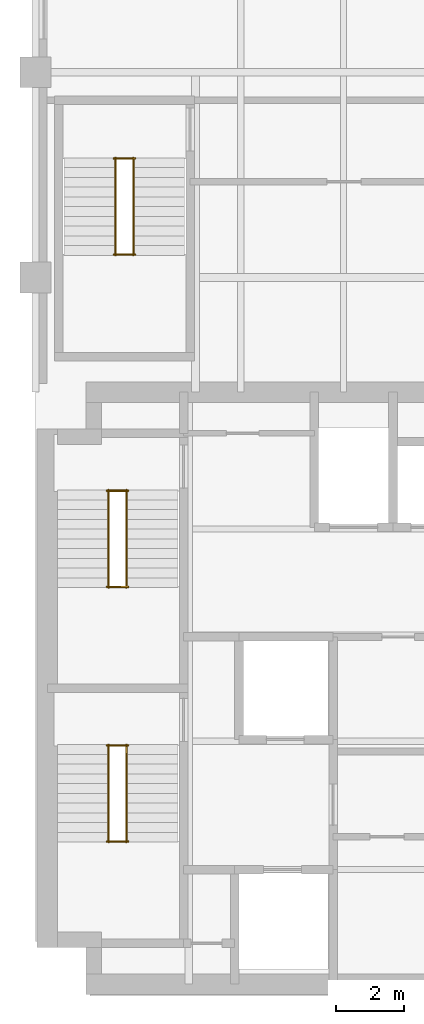
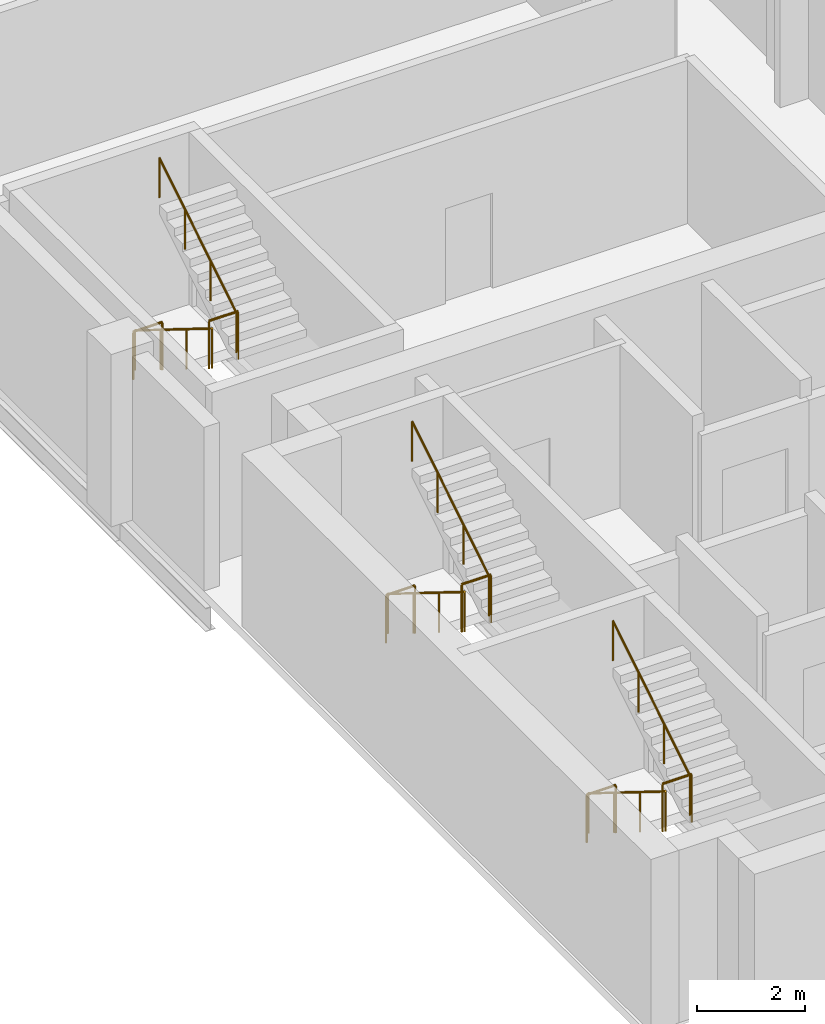
# One storey, part 7 of 7: 12 railings.
"""IFC4 building model written with IfcOpenShell, lengths in metres."""

from ifc_helpers import new_model, si_unit, direction, frame, origin, origin_2d, place, context, subcontext, project, spatial, circle, extrude, material, type_object, element, save


model = new_model("IFC4")

# Units and contexts
model_context = context("Model", 3, precision=1e-05, world=origin(), true_north=direction((0.0, 1.0)))
body_context = subcontext(model_context, "Body", "Model", "MODEL_VIEW")
ifc_project = project(units=[si_unit("LENGTHUNIT", "METRE"), si_unit("AREAUNIT", "SQUARE_METRE"), si_unit("VOLUMEUNIT", "CUBIC_METRE"), si_unit("PLANEANGLEUNIT", "RADIAN"), si_unit("MASSUNIT", "GRAM", prefix="KILO")], contexts=[model_context])

# Site, building, storey
site_placement = place(None, origin())
site = spatial("IfcSite", under=ifc_project, at=site_placement, CompositionType="ELEMENT")
building_placement = place(site_placement, origin())
building = spatial("IfcBuilding", under=site, at=building_placement, Name="Mawjdan Bourse Tower", CompositionType="ELEMENT")
storey_placement = place(building_placement, frame((0.0, 0.0, 203.39990234375)))
storey = spatial("IfcBuildingStorey", under=building, at=storey_placement, Name="L49", CompositionType="ELEMENT", Elevation=203.39990234375)

# Railings
ifc_material_1 = material(Name="Structural Steel S355", Category="steel")
railing_type_1 = type_object("IfcRailingType", Name="RLG-GRD-1100", PredefinedType="GUARDRAIL", material=ifc_material_1)
for number, where, name in (
    (1, (8.090087890625, 7.52001953125, 1.9501953125), "L49 ST1 Landing Guardrail GL-MID"),
    (2, (8.090087890625, 10.330078125, 0.0), "L49 ST1 Landing Guardrail GL-BOT"),
    (3, (8.090087890625, 14.9599609375, 1.9501953125), "L49 ST2 Landing Guardrail GL-MID"),
    (4, (8.090087890625, 17.77001953125, 0.0), "L49 ST2 Landing Guardrail GL-BOT"),
    (5, (8.2900390625, 24.669921875, 1.9501953125), "L49 ST3 Landing Guardrail GL-MID"),
    (6, (8.2900390625, 27.47998046875, 0.0), "L49 ST3 Landing Guardrail GL-BOT"),
):
    element("IfcRailing", number, at=place(storey_placement, frame(where)), inside=storey, type_object=railing_type_1, Name=name, PredefinedType="GUARDRAIL", context=body_context, shape_type="SweptSolid", body=[
        extrude(circle(Radius=0.02490234375, at=origin_2d()), frame((0.0, 0.0, 1.0751953125), z_axis=(1.0, 0.0, 0.0), x_axis=(0.0, 1.0, 0.0)), (0.0, 0.0, 1.0), 0.619873046875),
        extrude(circle(Radius=0.02099609375, at=origin_2d()), origin(), (0.0, 0.0, 1.0), 1.050048828125),
        extrude(circle(Radius=0.02099609375, at=origin_2d()), frame((0.619873046875, 0.0, 0.0)), (0.0, 0.0, 1.0), 1.050048828125),
    ])
ifc_material_2 = material(Name="Brushed Stainless Steel", Category="steel")
railing_type_2 = type_object("IfcRailingType", Name="RLG-HND-920", PredefinedType="HANDRAIL", material=ifc_material_2)
railing_1_placement = place(storey_placement, frame((8.139892578125, 10.35009765625, 0.177490234375)))
element("IfcRailing", 7, at=railing_1_placement, inside=storey, type_object=railing_type_2, Name="L49 ST1 Flight Handrail HR1", PredefinedType="HANDRAIL", context=body_context, shape_type="SweptSolid", body=[
    extrude(circle(Radius=0.0224609375, at=origin_2d()), frame((0.0, 0.0, 0.8974609375), z_axis=(0.0, -0.849148672731, 0.528153890072), x_axis=(1.0, 0.0, 0.0)), (0.0, 0.0, 1.0), 3.3564453125),
    extrude(circle(Radius=0.01904296875, at=origin_2d()), origin(), (0.0, 0.0, 1.0), 0.875),
    extrude(circle(Radius=0.01904296875, at=origin_2d()), frame((0.0, -0.949951171875, 0.5908203125)), (0.0, 0.0, 1.0), 0.875),
    extrude(circle(Radius=0.01904296875, at=origin_2d()), frame((0.0, -1.900146484375, 1.181884765625)), (0.0, 0.0, 1.0), 0.875),
    extrude(circle(Radius=0.01904296875, at=origin_2d()), frame((0.0, -2.85009765625, 1.772705078125)), (0.0, 0.0, 1.0), 0.875),
])
railing_2_placement = place(storey_placement, frame((8.659912109375, 7.5, 2.12744140625)))
element("IfcRailing", 8, at=railing_2_placement, inside=storey, type_object=railing_type_2, Name="L49 ST1 Flight Handrail HR2", PredefinedType="HANDRAIL", context=body_context, shape_type="SweptSolid", body=[
    extrude(circle(Radius=0.0224609375, at=origin_2d()), frame((0.0, 0.0, 0.8974609375), z_axis=(0.0, 0.849148672731, 0.528153890072), x_axis=(-1.0, 0.0, 0.0)), (0.0, 0.0, 1.0), 3.3564453125),
    extrude(circle(Radius=0.01904296875, at=origin_2d()), origin(), (0.0, 0.0, 1.0), 0.875),
    extrude(circle(Radius=0.01904296875, at=origin_2d()), frame((0.0, 0.949951171875, 0.5908203125)), (0.0, 0.0, 1.0), 0.875),
    extrude(circle(Radius=0.01904296875, at=origin_2d()), frame((0.0, 1.900146484375, 1.181884765625)), (0.0, 0.0, 1.0), 0.875),
    extrude(circle(Radius=0.01904296875, at=origin_2d()), frame((0.0, 2.85009765625, 1.772705078125)), (0.0, 0.0, 1.0), 0.875),
])
railing_3_placement = place(storey_placement, frame((8.139892578125, 17.7900390625, 0.177490234375)))
element("IfcRailing", 9, at=railing_3_placement, inside=storey, type_object=railing_type_2, Name="L49 ST2 Flight Handrail HR1", PredefinedType="HANDRAIL", context=body_context, shape_type="SweptSolid", body=[
    extrude(circle(Radius=0.0224609375, at=origin_2d()), frame((0.0, 0.0, 0.8974609375), z_axis=(0.0, -0.849148672731, 0.528153890072), x_axis=(1.0, 0.0, 0.0)), (0.0, 0.0, 1.0), 3.3564453125),
    extrude(circle(Radius=0.01904296875, at=origin_2d()), origin(), (0.0, 0.0, 1.0), 0.875),
    extrude(circle(Radius=0.01904296875, at=origin_2d()), frame((0.0, -0.949951171875, 0.5908203125)), (0.0, 0.0, 1.0), 0.875),
    extrude(circle(Radius=0.01904296875, at=origin_2d()), frame((0.0, -1.900146484375, 1.181884765625)), (0.0, 0.0, 1.0), 0.875),
    extrude(circle(Radius=0.01904296875, at=origin_2d()), frame((0.0, -2.85009765625, 1.772705078125)), (0.0, 0.0, 1.0), 0.875),
])
railing_4_placement = place(storey_placement, frame((8.659912109375, 14.93994140625, 2.12744140625)))
element("IfcRailing", 10, at=railing_4_placement, inside=storey, type_object=railing_type_2, Name="L49 ST2 Flight Handrail HR2", PredefinedType="HANDRAIL", context=body_context, shape_type="SweptSolid", body=[
    extrude(circle(Radius=0.0224609375, at=origin_2d()), frame((0.0, 0.0, 0.8974609375), z_axis=(0.0, 0.849148672731, 0.528153890072), x_axis=(-1.0, 0.0, 0.0)), (0.0, 0.0, 1.0), 3.3564453125),
    extrude(circle(Radius=0.01904296875, at=origin_2d()), origin(), (0.0, 0.0, 1.0), 0.875),
    extrude(circle(Radius=0.01904296875, at=origin_2d()), frame((0.0, 0.949951171875, 0.5908203125)), (0.0, 0.0, 1.0), 0.875),
    extrude(circle(Radius=0.01904296875, at=origin_2d()), frame((0.0, 1.900146484375, 1.181884765625)), (0.0, 0.0, 1.0), 0.875),
    extrude(circle(Radius=0.01904296875, at=origin_2d()), frame((0.0, 2.85009765625, 1.772705078125)), (0.0, 0.0, 1.0), 0.875),
])
railing_5_placement = place(storey_placement, frame((8.340087890625, 27.5, 0.177490234375)))
element("IfcRailing", 11, at=railing_5_placement, inside=storey, type_object=railing_type_2, Name="L49 ST3 Flight Handrail HR1", PredefinedType="HANDRAIL", context=body_context, shape_type="SweptSolid", body=[
    extrude(circle(Radius=0.0224609375, at=origin_2d()), frame((0.0, 0.0, 0.8974609375), z_axis=(0.0, -0.849148672731, 0.528153890072), x_axis=(1.0, 0.0, 0.0)), (0.0, 0.0, 1.0), 3.3564453125),
    extrude(circle(Radius=0.01904296875, at=origin_2d()), origin(), (0.0, 0.0, 1.0), 0.875),
    extrude(circle(Radius=0.01904296875, at=origin_2d()), frame((0.0, -0.949951171875, 0.5908203125)), (0.0, 0.0, 1.0), 0.875),
    extrude(circle(Radius=0.01904296875, at=origin_2d()), frame((0.0, -1.900146484375, 1.181884765625)), (0.0, 0.0, 1.0), 0.875),
    extrude(circle(Radius=0.01904296875, at=origin_2d()), frame((0.0, -2.85009765625, 1.772705078125)), (0.0, 0.0, 1.0), 0.875),
])
railing_6_placement = place(storey_placement, frame((8.860107421875, 24.64990234375, 2.12744140625)))
element("IfcRailing", 12, at=railing_6_placement, inside=storey, type_object=railing_type_2, Name="L49 ST3 Flight Handrail HR2", PredefinedType="HANDRAIL", context=body_context, shape_type="SweptSolid", body=[
    extrude(circle(Radius=0.0224609375, at=origin_2d()), frame((0.0, 0.0, 0.8974609375), z_axis=(0.0, 0.849148672731, 0.528153890072), x_axis=(-1.0, 0.0, 0.0)), (0.0, 0.0, 1.0), 3.3564453125),
    extrude(circle(Radius=0.01904296875, at=origin_2d()), origin(), (0.0, 0.0, 1.0), 0.875),
    extrude(circle(Radius=0.01904296875, at=origin_2d()), frame((0.0, 0.949951171875, 0.5908203125)), (0.0, 0.0, 1.0), 0.875),
    extrude(circle(Radius=0.01904296875, at=origin_2d()), frame((0.0, 1.900146484375, 1.181884765625)), (0.0, 0.0, 1.0), 0.875),
    extrude(circle(Radius=0.01904296875, at=origin_2d()), frame((0.0, 2.85009765625, 1.772705078125)), (0.0, 0.0, 1.0), 0.875),
])

save(model, "model.ifc")
